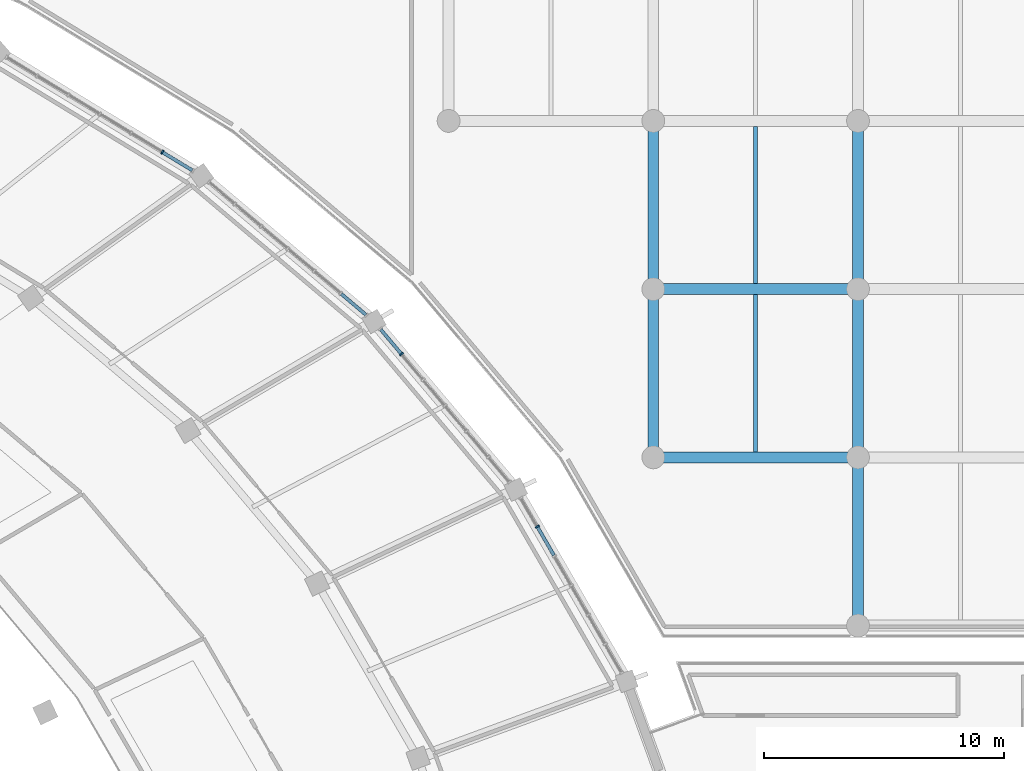
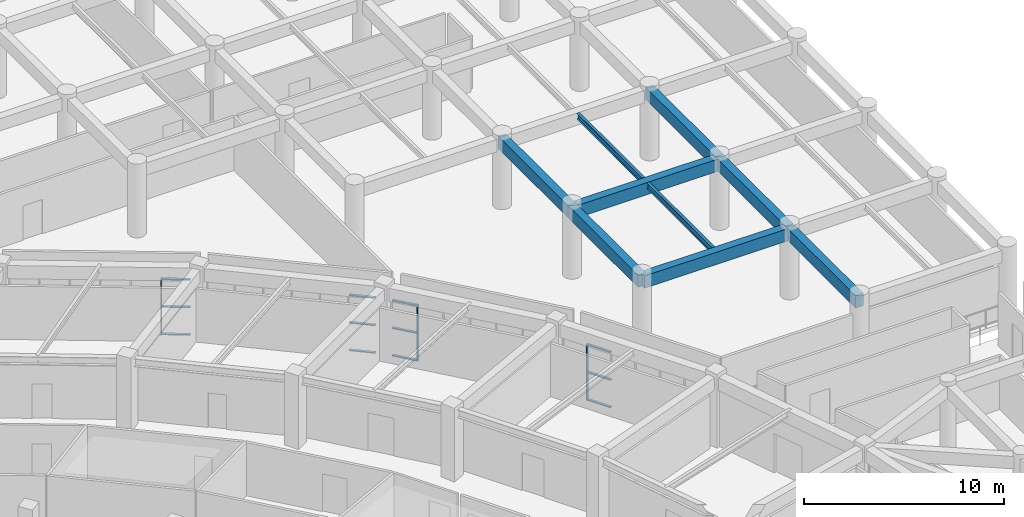
# One storey, part 69 of 141: 15 members, 9 beams, 4 elements without a shape of their own.
"""IFC4 building model written with IfcOpenShell, lengths in metres."""

from ifc_helpers import new_model, si_unit, direction, frame, origin, origin_2d, place, context, subcontext, project, spatial, rectangle, i_section, extrude, material, layer, layer_set, material_profile, profile_set, type_object, element, aggregate, save


model = new_model("IFC4")

# Units and contexts
model_context = context("Model", 3, precision=1e-05, world=origin(), true_north=direction((0.0, 1.0)))
body_context = subcontext(model_context, "Body", "Model", "MODEL_VIEW")
ifc_project = project(units=[si_unit("LENGTHUNIT", "METRE"), si_unit("AREAUNIT", "SQUARE_METRE"), si_unit("VOLUMEUNIT", "CUBIC_METRE"), si_unit("PLANEANGLEUNIT", "RADIAN"), si_unit("MASSUNIT", "GRAM", prefix="KILO")], contexts=[model_context])

# Site, building, storey
site_placement = place(None, origin())
site = spatial("IfcSite", under=ifc_project, at=site_placement, CompositionType="ELEMENT")
building_placement = place(site_placement, origin())
building = spatial("IfcBuilding", under=site, at=building_placement, Name="Mphavela Belvedere Stadium", CompositionType="ELEMENT")
storey_placement = place(building_placement, frame((0.0, 0.0, 14.699951171875)))
storey = spatial("IfcBuildingStorey", under=building, at=storey_placement, Name="L03", CompositionType="ELEMENT", Elevation=14.699951171875)

# Beams
ifc_material_1 = material(Name="Steel S355", Category="steel")
ifc_material_profile_1 = material_profile(ifc_material_1, i_section(OverallWidth=0.169921875, OverallDepth=0.360107421875, WebThickness=0.008056640625, FlangeThickness=0.0126953125, at=origin_2d()), Name="IPE 360")
ifc_profile_set_1 = profile_set([ifc_material_profile_1], Name="Steel S355")
beam_type_1 = type_object("IfcBeamType", Name="BM-JOIST-IPE360", PredefinedType="JOIST", material=ifc_profile_set_1)
for number, where, z_axis, x_axis, name in (
    (1, (217.221923828125, 132.22509765625, 4.06005859375), (0.0, 1.0, 0.0), (-1.0, 0.0, 0.0), "North Mast and Ceremonial End Forecourt secondary joist L03 26-2"),
    (2, (217.221923828125, 139.22509765625, 4.06005859375), (0.0, 1.0, 0.0), (-1.0, 0.0, 0.0), "North Mast and Ceremonial End Forecourt secondary joist L03 26-3"),
):
    element("IfcBeam", number, at=place(storey_placement, frame(where, z_axis=z_axis, x_axis=x_axis)), inside=storey, type_object=beam_type_1, Name=name, PredefinedType="JOIST", context=body_context, shape_type="SweptSolid", body=[
        extrude(i_section(OverallWidth=0.169921875, OverallDepth=0.360107421875, WebThickness=0.008056640625, FlangeThickness=0.0126953125, at=origin_2d()), origin(), (0.0, 0.0, 1.0), 6.5498046875),
    ])
ifc_material_2 = material(Name="Concrete C40/50", Category="concrete")
ifc_material_profile_2 = material_profile(ifc_material_2, rectangle(XDim=0.449951171875, YDim=0.75, at=origin_2d()), Name="RC 450x750")
ifc_profile_set_2 = profile_set([ifc_material_profile_2], Name="Concrete C40/50")
beam_type_2 = type_object("IfcBeamType", Name="BM-RC450x750", PredefinedType="BEAM", material=ifc_profile_set_2)
beam_1_placement = place(storey_placement, frame((212.962890625, 132.0, 3.864990234375), z_axis=(1.0, 0.0, 0.0), x_axis=(0.0, 1.0, 0.0)))
element("IfcBeam", 3, at=beam_1_placement, inside=storey, type_object=beam_type_2, Name="North Mast and Ceremonial End Forecourt entablature beam X L03 26-2", PredefinedType="BEAM", context=body_context, shape_type="SweptSolid", body=[
    extrude(rectangle(XDim=0.449951171875, YDim=0.75, at=origin_2d()), origin(), (0.0, 0.0, 1.0), 8.51806640625),
])
beam_2_placement = place(storey_placement, frame((212.962890625, 132.0, 3.864990234375), z_axis=(0.0, 1.0, 0.0), x_axis=(-1.0, 0.0, 0.0)))
element("IfcBeam", 4, at=beam_2_placement, inside=storey, type_object=beam_type_2, Name="North Mast and Ceremonial End Forecourt entablature beam Y L03 26-2", PredefinedType="BEAM", context=body_context, shape_type="SweptSolid", body=[
    extrude(rectangle(XDim=0.449951171875, YDim=0.75, at=origin_2d()), origin(), (0.0, 0.0, 1.0), 7.0),
])
beam_3_placement = place(storey_placement, frame((212.962890625, 139.0, 3.864990234375), z_axis=(1.0, 0.0, 0.0), x_axis=(0.0, 1.0, 0.0)))
element("IfcBeam", 5, at=beam_3_placement, inside=storey, type_object=beam_type_2, Name="North Mast and Ceremonial End Forecourt entablature beam X L03 26-3", PredefinedType="BEAM", context=body_context, shape_type="SweptSolid", body=[
    extrude(rectangle(XDim=0.449951171875, YDim=0.75, at=origin_2d()), origin(), (0.0, 0.0, 1.0), 8.51806640625),
])
for number, where, z_axis, x_axis, name in (
    (6, (212.962890625, 139.0, 3.864990234375), (0.0, 1.0, 0.0), (-1.0, 0.0, 0.0), "North Mast and Ceremonial End Forecourt entablature beam Y L03 26-3"),
    (7, (221.48095703125, 125.0, 3.864990234375), (0.0, 1.0, 0.0), (-1.0, 0.0, 0.0), "North Mast and Ceremonial End Forecourt entablature beam Y L03 27-1"),
    (8, (221.48095703125, 132.0, 3.864990234375), (0.0, 1.0, 0.0), (-1.0, 0.0, 0.0), "North Mast and Ceremonial End Forecourt entablature beam Y L03 27-2"),
    (9, (221.48095703125, 139.0, 3.864990234375), (0.0, 1.0, 0.0), (-1.0, 0.0, 0.0), "North Mast and Ceremonial End Forecourt entablature beam Y L03 27-3"),
):
    element("IfcBeam", number, at=place(storey_placement, frame(where, z_axis=z_axis, x_axis=x_axis)), inside=storey, type_object=beam_type_2, Name=name, PredefinedType="BEAM", context=body_context, shape_type="SweptSolid", body=[
        extrude(rectangle(XDim=0.449951171875, YDim=0.75, at=origin_2d()), origin(), (0.0, 0.0, 1.0), 7.0),
    ])

# Curtain wall, member
ifc_material_3 = material(Name="Anodised bronze unitised curtain wall framing")
ifc_layer_1 = layer(ifc_material_3, 0.18994140625)
ifc_layer_set_1 = layer_set([ifc_layer_1], Name="Anodised bronze unitised curtain wall framing")
curtain_wall_type_1 = type_object("IfcCurtainWallType", Name="CW-UNIT-03", PredefinedType="USERDEFINED", material=ifc_layer_set_1)
curtain_wall_1_placement = place(storey_placement, origin())
curtain_wall_1 = element("IfcCurtainWall", 10, at=curtain_wall_1_placement, inside=storey, type_object=curtain_wall_type_1, Name="Belvedere colonnade curtain wall L03-04", ObjectType="UNITISED CURTAIN WALL", PredefinedType="USERDEFINED")
ifc_material_4 = material(Name="Anodised bronze extruded aluminium", Category="aluminium")
ifc_material_profile_3 = material_profile(ifc_material_4, rectangle(XDim=0.179931640625, YDim=0.06494140625, at=origin_2d()), Name="CW-MUL 180x65")
ifc_profile_set_3 = profile_set([ifc_material_profile_3], Name="Anodised bronze extruded aluminium")
member_type_1 = type_object("IfcMemberType", Name="CWM-180x65", PredefinedType="MULLION", material=ifc_profile_set_3)
member_1_placement = place(storey_placement, frame((208.135986328125, 129.116455078125, 0.0), z_axis=(0.0, 0.0, 1.0), x_axis=(-0.865705257789, -0.50055409961, 0.0)))
member_1 = element("IfcMember", 11, at=member_1_placement, type_object=member_type_1, Name="CW-03 mullion 6", PredefinedType="MULLION", context=body_context, shape_type="SweptSolid", body=[
    extrude(rectangle(XDim=0.179931640625, YDim=0.06494140625, at=origin_2d()), origin(), (0.0, 0.0, 1.0), 3.420166015625),
])

ifc_material_5 = material(Name="Anodised bronze unitised curtain wall framing")
ifc_layer_2 = layer(ifc_material_5, 0.195068359375)
ifc_layer_set_2 = layer_set([ifc_layer_2], Name="Anodised bronze unitised curtain wall framing")
curtain_wall_type_2 = type_object("IfcCurtainWallType", Name="CW-UNIT-04", PredefinedType="USERDEFINED", material=ifc_layer_set_2)
curtain_wall_2_placement = place(storey_placement, origin())
curtain_wall_2 = element("IfcCurtainWall", 12, at=curtain_wall_2_placement, inside=storey, type_object=curtain_wall_type_2, Name="Belvedere colonnade curtain wall L03-05", ObjectType="UNITISED CURTAIN WALL", PredefinedType="USERDEFINED")
member_2_placement = place(storey_placement, frame((202.482666015625, 136.298095703125, 0.0), z_axis=(0.0, 0.0, 1.0), x_axis=(-0.76403121907, -0.645179274532, 0.0)))
member_2 = element("IfcMember", 13, at=member_2_placement, type_object=member_type_1, Name="CW-04 mullion 6", PredefinedType="MULLION", context=body_context, shape_type="SweptSolid", body=[
    extrude(rectangle(XDim=0.179931640625, YDim=0.06494140625, at=origin_2d()), origin(), (0.0, 0.0, 1.0), 3.420166015625),
])

ifc_material_6 = material(Name="Anodised bronze unitised curtain wall framing")
ifc_layer_3 = layer(ifc_material_6, 0.205078125)
ifc_layer_set_3 = layer_set([ifc_layer_3], Name="Anodised bronze unitised curtain wall framing")
curtain_wall_type_3 = type_object("IfcCurtainWallType", Name="CW-UNIT-06", PredefinedType="USERDEFINED", material=ifc_layer_set_3)
curtain_wall_3_placement = place(storey_placement, origin())
curtain_wall_3 = element("IfcCurtainWall", 14, at=curtain_wall_3_placement, inside=storey, type_object=curtain_wall_type_3, Name="Belvedere colonnade curtain wall L03-07", ObjectType="UNITISED CURTAIN WALL", PredefinedType="USERDEFINED")
member_3_placement = place(storey_placement, frame((192.533203125, 144.701416015625, 0.0), z_axis=(0.0, 0.0, 1.0), x_axis=(-0.519738342169, -0.8543254975, 0.0)))
member_3 = element("IfcMember", 15, at=member_3_placement, type_object=member_type_1, Name="CW-06 mullion 2", PredefinedType="MULLION", context=body_context, shape_type="SweptSolid", body=[
    extrude(rectangle(XDim=0.179931640625, YDim=0.06494140625, at=origin_2d()), origin(), (0.0, 0.0, 1.0), 3.420166015625),
])

# Member
ifc_material_7 = material(Name="Anodised bronze extruded aluminium", Category="aluminium")
ifc_material_profile_4 = material_profile(ifc_material_7, rectangle(XDim=0.139892578125, YDim=0.06005859375, at=origin_2d()), Name="CW-TRN 140x60")
ifc_profile_set_4 = profile_set([ifc_material_profile_4], Name="Anodised bronze extruded aluminium")
member_type_2 = type_object("IfcMemberType", Name="CWT-140x60", PredefinedType="USERDEFINED", material=ifc_profile_set_4)
member_4_placement = place(storey_placement, frame((208.826416015625, 127.92236328125, 0.030029296875), z_axis=(-0.500700372519, 0.865620665742, 0.0), x_axis=(-0.865620665742, -0.500700372519, 0.0)))
member_4 = element("IfcMember", 16, at=member_4_placement, type_object=member_type_2, Name="CW-03 transom 5.1", ObjectType="TRANSOM", PredefinedType="USERDEFINED", context=body_context, shape_type="SweptSolid", body=[
    extrude(rectangle(XDim=0.139892578125, YDim=0.06005859375, at=origin_2d()), origin(), (0.0, 0.0, 1.0), 1.3466796875),
])

member_5_placement = place(storey_placement, frame((208.826416015625, 127.92236328125, 1.7099609375), z_axis=(-0.500700372519, 0.865620665742, 0.0), x_axis=(-0.865620665742, -0.500700372519, 0.0)))
member_5 = element("IfcMember", 17, at=member_5_placement, type_object=member_type_2, Name="CW-03 transom 5.2", ObjectType="TRANSOM", PredefinedType="USERDEFINED", context=body_context, shape_type="SweptSolid", body=[
    extrude(rectangle(XDim=0.139892578125, YDim=0.06005859375, at=origin_2d()), origin(), (0.0, 0.0, 1.0), 1.3466796875),
])

member_6_placement = place(storey_placement, frame((208.826416015625, 127.92236328125, 3.39013671875), z_axis=(-0.500700372519, 0.865620665742, 0.0), x_axis=(-0.865620665742, -0.500700372519, 0.0)))
member_6 = element("IfcMember", 18, at=member_6_placement, type_object=member_type_2, Name="CW-03 transom 5.3", ObjectType="TRANSOM", PredefinedType="USERDEFINED", context=body_context, shape_type="SweptSolid", body=[
    extrude(rectangle(XDim=0.139892578125, YDim=0.06005859375, at=origin_2d()), origin(), (0.0, 0.0, 1.0), 1.3466796875),
])

aggregate(curtain_wall_1, [member_1, member_4, member_5, member_6])

member_7_placement = place(storey_placement, frame((202.461669921875, 136.322998046875, 0.030029296875), z_axis=(-0.645127358185, 0.76407505634, 0.0), x_axis=(-0.76407505634, -0.645127358185, 0.0)))
member_7 = element("IfcMember", 19, at=member_7_placement, type_object=member_type_2, Name="CW-04 transom 6.1", ObjectType="TRANSOM", PredefinedType="USERDEFINED", context=body_context, shape_type="SweptSolid", body=[
    extrude(rectangle(XDim=0.139892578125, YDim=0.06005859375, at=origin_2d()), origin(), (0.0, 0.0, 1.0), 1.30322265625),
])

member_8_placement = place(storey_placement, frame((202.461669921875, 136.322998046875, 1.7099609375), z_axis=(-0.645127358185, 0.76407505634, 0.0), x_axis=(-0.76407505634, -0.645127358185, 0.0)))
member_8 = element("IfcMember", 20, at=member_8_placement, type_object=member_type_2, Name="CW-04 transom 6.2", ObjectType="TRANSOM", PredefinedType="USERDEFINED", context=body_context, shape_type="SweptSolid", body=[
    extrude(rectangle(XDim=0.139892578125, YDim=0.06005859375, at=origin_2d()), origin(), (0.0, 0.0, 1.0), 1.30322265625),
])

member_9_placement = place(storey_placement, frame((202.461669921875, 136.322998046875, 3.39013671875), z_axis=(-0.645127358185, 0.76407505634, 0.0), x_axis=(-0.76407505634, -0.645127358185, 0.0)))
member_9 = element("IfcMember", 21, at=member_9_placement, type_object=member_type_2, Name="CW-04 transom 6.3", ObjectType="TRANSOM", PredefinedType="USERDEFINED", context=body_context, shape_type="SweptSolid", body=[
    extrude(rectangle(XDim=0.139892578125, YDim=0.06005859375, at=origin_2d()), origin(), (0.0, 0.0, 1.0), 1.30322265625),
])

aggregate(curtain_wall_2, [member_2, member_7, member_8, member_9])

# Curtain wall, members
ifc_material_8 = material(Name="Anodised bronze unitised curtain wall framing")
ifc_layer_4 = layer(ifc_material_8, 0.199951171875)
ifc_layer_set_4 = layer_set([ifc_layer_4], Name="Anodised bronze unitised curtain wall framing")
curtain_wall_type_4 = type_object("IfcCurtainWallType", Name="CW-UNIT-05", PredefinedType="USERDEFINED", material=ifc_layer_set_4)
curtain_wall_4_placement = place(storey_placement, origin())
curtain_wall_4 = element("IfcCurtainWall", 22, at=curtain_wall_4_placement, inside=storey, type_object=curtain_wall_type_4, Name="Belvedere colonnade curtain wall L03-06", ObjectType="UNITISED CURTAIN WALL", PredefinedType="USERDEFINED")
member_10_placement = place(storey_placement, frame((201.00341796875, 137.93603515625, 0.030029296875), z_axis=(-0.764157212068, 0.645030042126, 0.0), x_axis=(-0.645030042126, -0.764157212068, 0.0)))
member_10 = element("IfcMember", 23, at=member_10_placement, type_object=member_type_2, Name="CW-05 transom 1.1", ObjectType="TRANSOM", PredefinedType="USERDEFINED", context=body_context, shape_type="SweptSolid", body=[
    extrude(rectangle(XDim=0.139892578125, YDim=0.06005859375, at=origin_2d()), origin(), (0.0, 0.0, 1.0), 1.344482421875),
])
member_11_placement = place(storey_placement, frame((201.00341796875, 137.93603515625, 1.7099609375), z_axis=(-0.764157212068, 0.645030042126, 0.0), x_axis=(-0.645030042126, -0.764157212068, 0.0)))
member_11 = element("IfcMember", 24, at=member_11_placement, type_object=member_type_2, Name="CW-05 transom 1.2", ObjectType="TRANSOM", PredefinedType="USERDEFINED", context=body_context, shape_type="SweptSolid", body=[
    extrude(rectangle(XDim=0.139892578125, YDim=0.06005859375, at=origin_2d()), origin(), (0.0, 0.0, 1.0), 1.344482421875),
])
member_12_placement = place(storey_placement, frame((201.00341796875, 137.93603515625, 3.39013671875), z_axis=(-0.764157212068, 0.645030042126, 0.0), x_axis=(-0.645030042126, -0.764157212068, 0.0)))
member_12 = element("IfcMember", 25, at=member_12_placement, type_object=member_type_2, Name="CW-05 transom 1.3", ObjectType="TRANSOM", PredefinedType="USERDEFINED", context=body_context, shape_type="SweptSolid", body=[
    extrude(rectangle(XDim=0.139892578125, YDim=0.06005859375, at=origin_2d()), origin(), (0.0, 0.0, 1.0), 1.344482421875),
])
aggregate(curtain_wall_4, [member_10, member_11, member_12])

# Member
member_13_placement = place(storey_placement, frame((193.78125, 143.942138671875, 0.030029296875), z_axis=(-0.854294260385, 0.51978968504, 0.0), x_axis=(-0.51978968504, -0.854294260385, 0.0)))
member_13 = element("IfcMember", 26, at=member_13_placement, type_object=member_type_2, Name="CW-06 transom 1.1", ObjectType="TRANSOM", PredefinedType="USERDEFINED", context=body_context, shape_type="SweptSolid", body=[
    extrude(rectangle(XDim=0.139892578125, YDim=0.06005859375, at=origin_2d()), origin(), (0.0, 0.0, 1.0), 1.42822265625),
])

member_14_placement = place(storey_placement, frame((193.78125, 143.942138671875, 1.7099609375), z_axis=(-0.854294260385, 0.51978968504, 0.0), x_axis=(-0.51978968504, -0.854294260385, 0.0)))
member_14 = element("IfcMember", 27, at=member_14_placement, type_object=member_type_2, Name="CW-06 transom 1.2", ObjectType="TRANSOM", PredefinedType="USERDEFINED", context=body_context, shape_type="SweptSolid", body=[
    extrude(rectangle(XDim=0.139892578125, YDim=0.06005859375, at=origin_2d()), origin(), (0.0, 0.0, 1.0), 1.42822265625),
])

member_15_placement = place(storey_placement, frame((193.78125, 143.942138671875, 3.39013671875), z_axis=(-0.854294260385, 0.51978968504, 0.0), x_axis=(-0.51978968504, -0.854294260385, 0.0)))
member_15 = element("IfcMember", 28, at=member_15_placement, type_object=member_type_2, Name="CW-06 transom 1.3", ObjectType="TRANSOM", PredefinedType="USERDEFINED", context=body_context, shape_type="SweptSolid", body=[
    extrude(rectangle(XDim=0.139892578125, YDim=0.06005859375, at=origin_2d()), origin(), (0.0, 0.0, 1.0), 1.42822265625),
])

aggregate(curtain_wall_3, [member_3, member_13, member_14, member_15])

save(model, "model.ifc")
